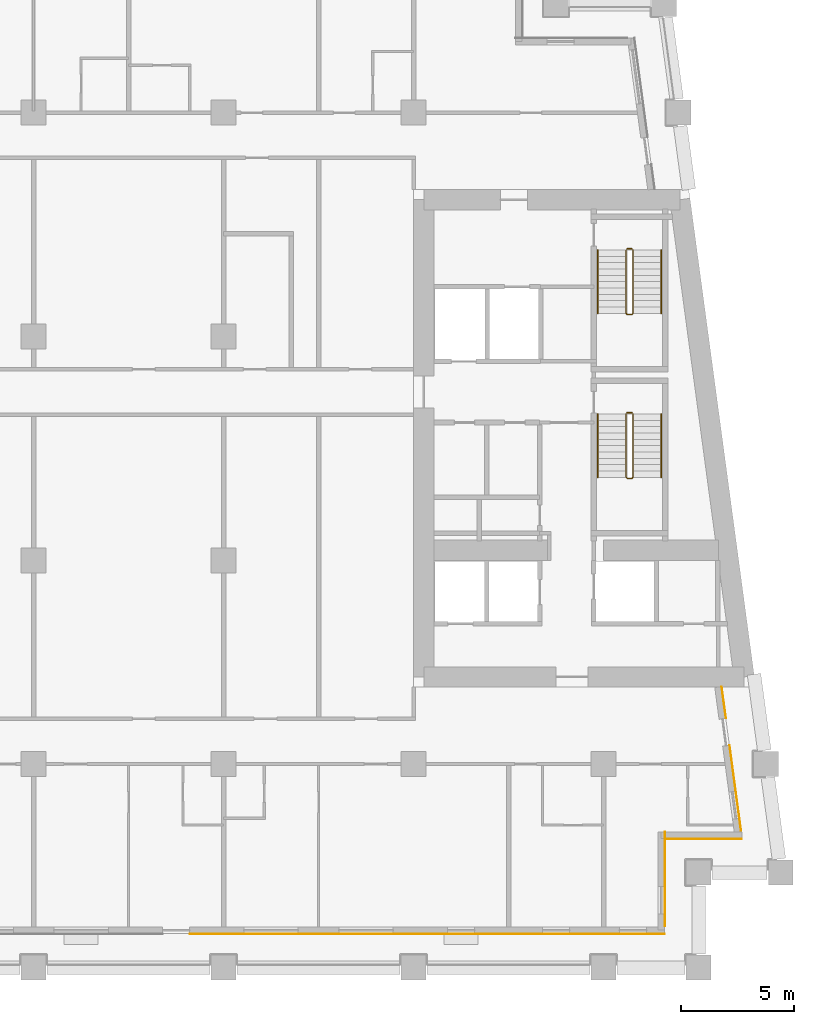
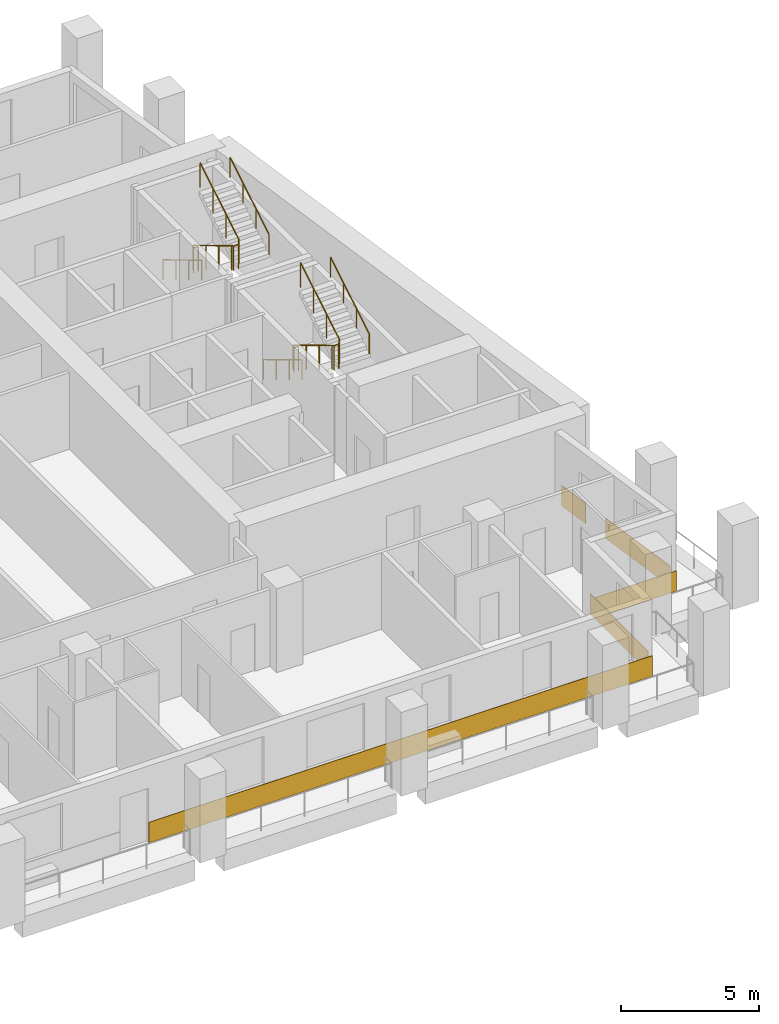
# One storey, part 10 of 12: 8 railings, 5 coverings.
"""IFC4 building model written with IfcOpenShell, lengths in metres."""

from ifc_helpers import new_model, si_unit, direction, frame, origin, origin_2d, place, context, subcontext, project, spatial, rectangle, circle, extrude, material, layer, layer_set, type_object, element, save


model = new_model("IFC4")

# Units and contexts
model_context = context("Model", 3, precision=1e-05, world=origin(), true_north=direction((0.0, 1.0)))
body_context = subcontext(model_context, "Body", "Model", "MODEL_VIEW")
ifc_project = project(units=[si_unit("LENGTHUNIT", "METRE"), si_unit("AREAUNIT", "SQUARE_METRE"), si_unit("VOLUMEUNIT", "CUBIC_METRE"), si_unit("PLANEANGLEUNIT", "RADIAN"), si_unit("MASSUNIT", "GRAM", prefix="KILO")], contexts=[model_context])

# Site, building, storey
site_placement = place(None, origin())
site = spatial("IfcSite", under=ifc_project, at=site_placement, CompositionType="ELEMENT")
building_placement = place(site_placement, origin())
building = spatial("IfcBuilding", under=site, at=building_placement, Name="Candeia Pilgrim Tower and Theatre", CompositionType="ELEMENT")
storey_placement = place(building_placement, frame((0.0, 0.0, 147.800048828125)))
storey = spatial("IfcBuildingStorey", under=building, at=storey_placement, Name="L34", CompositionType="ELEMENT", Elevation=147.800048828125)

# Coverings
ifc_material_1 = material(Name="Glazed ceramic tile rust")
ifc_layer = layer(ifc_material_1, 0.02001953125)
ifc_layer_set = layer_set([ifc_layer], Name="Glazed ceramic tile rust")
covering_type = type_object("IfcCoveringType", Name="Glazed ceramic tile rust", PredefinedType="CLADDING", material=ifc_layer_set)
covering_1_placement = place(storey_placement, frame((126.60009765625, 99.489990234375, 0.0), z_axis=(0.0, 0.0, 1.0), x_axis=(1.0, 0.0, 0.0)))
element("IfcCovering", 1, at=covering_1_placement, inside=storey, type_object=covering_type, Name="Tile cladding rust L34", PredefinedType="CLADDING", context=body_context, shape_type="SweptSolid", body=[
    extrude(rectangle(XDim=21.0, YDim=0.02001953125, at=origin_2d()), origin(), (0.0, 0.0, 1.0), 0.89990234375),
])
covering_2_placement = place(storey_placement, frame((137.110107421875, 101.909912109375, 0.0), z_axis=(0.0, 0.0, 1.0), x_axis=(0.0, 1.0, 0.0)))
element("IfcCovering", 2, at=covering_2_placement, inside=storey, type_object=covering_type, Name="Tile cladding rust L34", PredefinedType="CLADDING", context=body_context, shape_type="SweptSolid", body=[
    extrude(rectangle(XDim=4.179931640625, YDim=0.02001953125, at=origin_2d()), origin(), (0.0, 0.0, 1.0), 0.89990234375),
])
covering_3_placement = place(storey_placement, frame((138.819580078125, 103.68994140625, 0.0), z_axis=(0.0, 0.0, 1.0), x_axis=(1.0, 0.0, 0.0)))
element("IfcCovering", 3, at=covering_3_placement, inside=storey, type_object=covering_type, Name="Tile cladding rust L34", PredefinedType="CLADDING", context=body_context, shape_type="SweptSolid", body=[
    extrude(rectangle(XDim=3.399169921875, YDim=0.02001953125, at=origin_2d()), origin(), (0.0, 0.0, 1.0), 0.89990234375),
])
covering_4_placement = place(storey_placement, frame((140.228515625, 105.933349609375, 0.0), z_axis=(0.0, 0.0, 1.0), x_axis=(-0.133412012145, 0.991060661622, 0.0)))
element("IfcCovering", 4, at=covering_4_placement, inside=storey, type_object=covering_type, Name="Tile cladding rust L34", PredefinedType="CLADDING", context=body_context, shape_type="SweptSolid", body=[
    extrude(rectangle(XDim=3.821044921875, YDim=0.02001953125, at=origin_2d()), origin(), (0.0, 0.0, 1.0), 0.89990234375),
])
covering_5_placement = place(storey_placement, frame((139.718994140625, 109.71875, 0.0), z_axis=(0.0, 0.0, 1.0), x_axis=(-0.133412012145, 0.991060661622, 0.0)))
element("IfcCovering", 5, at=covering_5_placement, inside=storey, type_object=covering_type, Name="Tile cladding rust L34", PredefinedType="CLADDING", context=body_context, shape_type="SweptSolid", body=[
    extrude(rectangle(XDim=1.41796875, YDim=0.02001953125, at=origin_2d()), origin(), (0.0, 0.0, 1.0), 0.89990234375),
])

# Railings
ifc_material_2 = material(Name="Stainless steel balustrade", Category="steel")
railing_type_1 = type_object("IfcRailingType", Name="RL-GUARD-1100", PredefinedType="GUARDRAIL", material=ifc_material_2)
railing_1_placement = place(storey_placement, frame((135.39794921875, 122.47509765625, 0.168212890625)))
element("IfcRailing", 6, at=railing_1_placement, inside=storey, type_object=railing_type_1, Name="L34 ST3 stair guard 1", PredefinedType="GUARDRAIL", context=body_context, shape_type="SweptSolid", body=[
    extrude(circle(Radius=0.02392578125, at=origin_2d()), frame((0.0, 0.0, 1.076171875), z_axis=(0.0, -0.857275202839, 0.514858452973), x_axis=(1.0, 0.0, 0.0)), (0.0, 0.0, 1.0), 3.26611328125),
    extrude(circle(Radius=0.02392578125, at=origin_2d()), frame((0.0, -2.800048828125, 2.7578125), z_axis=(0.707106781187, -0.707106781187, 0.0), x_axis=(0.707106781187, 0.707106781187, 0.0)), (0.0, 0.0, 1.0), 0.07080078125),
    extrude(circle(Radius=0.02392578125, at=origin_2d()), frame((0.050048828125, -2.85009765625, 2.7578125), z_axis=(1.0, 0.0, 0.0), x_axis=(0.0, 1.0, 0.0)), (0.0, 0.0, 1.0), 0.199951171875),
    extrude(circle(Radius=0.02392578125, at=origin_2d()), frame((0.25, -2.85009765625, 2.7578125), z_axis=(0.274243871929, 0.274243871929, 0.92172696468), x_axis=(-0.707106781187, 0.707106781187, 0.0)), (0.0, 0.0, 1.0), 0.1826171875),
    extrude(circle(Radius=0.02392578125, at=origin_2d()), frame((0.300048828125, -2.800048828125, 2.92578125), z_axis=(0.0, 0.857242210791, 0.514913383045), x_axis=(-1.0, 0.0, 0.0)), (0.0, 0.0, 1.0), 3.266357421875),
    extrude(circle(Radius=0.02099609375, at=origin_2d()), origin(), (0.0, 0.0, 1.0), 1.052001953125),
    extrude(circle(Radius=0.02099609375, at=origin_2d()), frame((0.0, -0.933349609375, 0.560546875)), (0.0, 0.0, 1.0), 1.052001953125),
    extrude(circle(Radius=0.02099609375, at=origin_2d()), frame((0.0, -1.86669921875, 1.12109375)), (0.0, 0.0, 1.0), 1.052001953125),
    extrude(circle(Radius=0.02099609375, at=origin_2d()), frame((0.0, -2.800048828125, 1.681640625)), (0.0, 0.0, 1.0), 1.052001953125),
    extrude(circle(Radius=0.02099609375, at=origin_2d()), frame((0.050048828125, -2.85009765625, 1.681640625)), (0.0, 0.0, 1.0), 1.052001953125),
    extrude(circle(Radius=0.02099609375, at=origin_2d()), frame((0.25, -2.85009765625, 1.681640625)), (0.0, 0.0, 1.0), 1.052001953125),
    extrude(circle(Radius=0.02099609375, at=origin_2d()), frame((0.300048828125, -2.800048828125, 1.849853515625)), (0.0, 0.0, 1.0), 1.052001953125),
    extrude(circle(Radius=0.02099609375, at=origin_2d()), frame((0.300048828125, -1.86669921875, 2.410400390625)), (0.0, 0.0, 1.0), 1.052001953125),
    extrude(circle(Radius=0.02099609375, at=origin_2d()), frame((0.300048828125, -0.933349609375, 2.97119140625)), (0.0, 0.0, 1.0), 1.052001953125),
    extrude(circle(Radius=0.02099609375, at=origin_2d()), frame((0.300048828125, 0.0, 3.53173828125)), (0.0, 0.0, 1.0), 1.052001953125),
])
railing_2_placement = place(storey_placement, frame((135.447998046875, 122.52490234375, 0.0)))
element("IfcRailing", 7, at=railing_2_placement, inside=storey, type_object=railing_type_1, Name="L34 ST3 stair guard 2", PredefinedType="GUARDRAIL", context=body_context, shape_type="SweptSolid", body=[
    extrude(circle(Radius=0.02392578125, at=origin_2d()), frame((0.0, 0.0, 1.076171875), z_axis=(1.0, 0.0, 0.0), x_axis=(0.0, 1.0, 0.0)), (0.0, 0.0, 1.0), 0.199951171875),
    extrude(circle(Radius=0.02099609375, at=origin_2d()), origin(), (0.0, 0.0, 1.0), 1.052001953125),
    extrude(circle(Radius=0.02099609375, at=origin_2d()), frame((0.199951171875, 0.0, 0.0)), (0.0, 0.0, 1.0), 1.052001953125),
])
railing_3_placement = place(storey_placement, frame((135.39794921875, 129.72509765625, 0.168212890625)))
element("IfcRailing", 8, at=railing_3_placement, inside=storey, type_object=railing_type_1, Name="L34 ST4 stair guard 1", PredefinedType="GUARDRAIL", context=body_context, shape_type="SweptSolid", body=[
    extrude(circle(Radius=0.02392578125, at=origin_2d()), frame((0.0, 0.0, 1.076171875), z_axis=(0.0, -0.857275202839, 0.514858452973), x_axis=(1.0, 0.0, 0.0)), (0.0, 0.0, 1.0), 3.26611328125),
    extrude(circle(Radius=0.02392578125, at=origin_2d()), frame((0.0, -2.800048828125, 2.7578125), z_axis=(0.707106781187, -0.707106781187, 0.0), x_axis=(0.707106781187, 0.707106781187, 0.0)), (0.0, 0.0, 1.0), 0.07080078125),
    extrude(circle(Radius=0.02392578125, at=origin_2d()), frame((0.050048828125, -2.85009765625, 2.7578125), z_axis=(1.0, 0.0, 0.0), x_axis=(0.0, 1.0, 0.0)), (0.0, 0.0, 1.0), 0.199951171875),
    extrude(circle(Radius=0.02392578125, at=origin_2d()), frame((0.25, -2.85009765625, 2.7578125), z_axis=(0.274243871929, 0.274243871929, 0.92172696468), x_axis=(-0.707106781187, 0.707106781187, 0.0)), (0.0, 0.0, 1.0), 0.1826171875),
    extrude(circle(Radius=0.02392578125, at=origin_2d()), frame((0.300048828125, -2.800048828125, 2.92578125), z_axis=(0.0, 0.857242210791, 0.514913383045), x_axis=(-1.0, 0.0, 0.0)), (0.0, 0.0, 1.0), 3.266357421875),
    extrude(circle(Radius=0.02099609375, at=origin_2d()), origin(), (0.0, 0.0, 1.0), 1.052001953125),
    extrude(circle(Radius=0.02099609375, at=origin_2d()), frame((0.0, -0.933349609375, 0.560546875)), (0.0, 0.0, 1.0), 1.052001953125),
    extrude(circle(Radius=0.02099609375, at=origin_2d()), frame((0.0, -1.86669921875, 1.12109375)), (0.0, 0.0, 1.0), 1.052001953125),
    extrude(circle(Radius=0.02099609375, at=origin_2d()), frame((0.0, -2.800048828125, 1.681640625)), (0.0, 0.0, 1.0), 1.052001953125),
    extrude(circle(Radius=0.02099609375, at=origin_2d()), frame((0.050048828125, -2.85009765625, 1.681640625)), (0.0, 0.0, 1.0), 1.052001953125),
    extrude(circle(Radius=0.02099609375, at=origin_2d()), frame((0.25, -2.85009765625, 1.681640625)), (0.0, 0.0, 1.0), 1.052001953125),
    extrude(circle(Radius=0.02099609375, at=origin_2d()), frame((0.300048828125, -2.800048828125, 1.849853515625)), (0.0, 0.0, 1.0), 1.052001953125),
    extrude(circle(Radius=0.02099609375, at=origin_2d()), frame((0.300048828125, -1.86669921875, 2.410400390625)), (0.0, 0.0, 1.0), 1.052001953125),
    extrude(circle(Radius=0.02099609375, at=origin_2d()), frame((0.300048828125, -0.933349609375, 2.97119140625)), (0.0, 0.0, 1.0), 1.052001953125),
    extrude(circle(Radius=0.02099609375, at=origin_2d()), frame((0.300048828125, 0.0, 3.53173828125)), (0.0, 0.0, 1.0), 1.052001953125),
])
railing_4_placement = place(storey_placement, frame((135.447998046875, 129.77490234375, 0.0)))
element("IfcRailing", 9, at=railing_4_placement, inside=storey, type_object=railing_type_1, Name="L34 ST4 stair guard 2", PredefinedType="GUARDRAIL", context=body_context, shape_type="SweptSolid", body=[
    extrude(circle(Radius=0.02392578125, at=origin_2d()), frame((0.0, 0.0, 1.076171875), z_axis=(1.0, 0.0, 0.0), x_axis=(0.0, 1.0, 0.0)), (0.0, 0.0, 1.0), 0.199951171875),
    extrude(circle(Radius=0.02099609375, at=origin_2d()), origin(), (0.0, 0.0, 1.0), 1.052001953125),
    extrude(circle(Radius=0.02099609375, at=origin_2d()), frame((0.199951171875, 0.0, 0.0)), (0.0, 0.0, 1.0), 1.052001953125),
])
ifc_material_3 = material(Name="Stainless steel handrail", Category="steel")
railing_type_2 = type_object("IfcRailingType", Name="RL-HANDRAIL-900", PredefinedType="HANDRAIL", material=ifc_material_3)
railing_5_placement = place(storey_placement, frame((134.14794921875, 122.47509765625, 0.168212890625)))
element("IfcRailing", 10, at=railing_5_placement, inside=storey, type_object=railing_type_2, Name="L34 ST3 stair handrail 1", PredefinedType="HANDRAIL", context=body_context, shape_type="SweptSolid", body=[
    extrude(circle(Radius=0.02392578125, at=origin_2d()), frame((0.0, 0.0, 0.8759765625), z_axis=(0.0, -0.857275202839, 0.514858452973), x_axis=(1.0, 0.0, 0.0)), (0.0, 0.0, 1.0), 3.26611328125),
    extrude(circle(Radius=0.02099609375, at=origin_2d()), origin(), (0.0, 0.0, 1.0), 0.851806640625),
    extrude(circle(Radius=0.02099609375, at=origin_2d()), frame((0.0, -0.933349609375, 0.560546875)), (0.0, 0.0, 1.0), 0.851806640625),
    extrude(circle(Radius=0.02099609375, at=origin_2d()), frame((0.0, -1.86669921875, 1.12109375)), (0.0, 0.0, 1.0), 0.851806640625),
    extrude(circle(Radius=0.02099609375, at=origin_2d()), frame((0.0, -2.800048828125, 1.681640625)), (0.0, 0.0, 1.0), 0.851806640625),
])
railing_6_placement = place(storey_placement, frame((136.947998046875, 119.675048828125, 2.01806640625)))
element("IfcRailing", 11, at=railing_6_placement, inside=storey, type_object=railing_type_2, Name="L34 ST3 stair handrail 2", PredefinedType="HANDRAIL", context=body_context, shape_type="SweptSolid", body=[
    extrude(circle(Radius=0.02392578125, at=origin_2d()), frame((0.0, 0.0, 0.8759765625), z_axis=(0.0, 0.857242210791, 0.514913383045), x_axis=(-1.0, 0.0, 0.0)), (0.0, 0.0, 1.0), 3.266357421875),
    extrude(circle(Radius=0.02099609375, at=origin_2d()), origin(), (0.0, 0.0, 1.0), 0.851806640625),
    extrude(circle(Radius=0.02099609375, at=origin_2d()), frame((0.0, 0.933349609375, 0.560546875)), (0.0, 0.0, 1.0), 0.851806640625),
    extrude(circle(Radius=0.02099609375, at=origin_2d()), frame((0.0, 1.86669921875, 1.121337890625)), (0.0, 0.0, 1.0), 0.851806640625),
    extrude(circle(Radius=0.02099609375, at=origin_2d()), frame((0.0, 2.800048828125, 1.681884765625)), (0.0, 0.0, 1.0), 0.851806640625),
])
railing_7_placement = place(storey_placement, frame((134.14794921875, 129.72509765625, 0.168212890625)))
element("IfcRailing", 12, at=railing_7_placement, inside=storey, type_object=railing_type_2, Name="L34 ST4 stair handrail 1", PredefinedType="HANDRAIL", context=body_context, shape_type="SweptSolid", body=[
    extrude(circle(Radius=0.02392578125, at=origin_2d()), frame((0.0, 0.0, 0.8759765625), z_axis=(0.0, -0.857275202839, 0.514858452973), x_axis=(1.0, 0.0, 0.0)), (0.0, 0.0, 1.0), 3.26611328125),
    extrude(circle(Radius=0.02099609375, at=origin_2d()), origin(), (0.0, 0.0, 1.0), 0.851806640625),
    extrude(circle(Radius=0.02099609375, at=origin_2d()), frame((0.0, -0.933349609375, 0.560546875)), (0.0, 0.0, 1.0), 0.851806640625),
    extrude(circle(Radius=0.02099609375, at=origin_2d()), frame((0.0, -1.86669921875, 1.12109375)), (0.0, 0.0, 1.0), 0.851806640625),
    extrude(circle(Radius=0.02099609375, at=origin_2d()), frame((0.0, -2.800048828125, 1.681640625)), (0.0, 0.0, 1.0), 0.851806640625),
])
railing_8_placement = place(storey_placement, frame((136.947998046875, 126.925048828125, 2.01806640625)))
element("IfcRailing", 13, at=railing_8_placement, inside=storey, type_object=railing_type_2, Name="L34 ST4 stair handrail 2", PredefinedType="HANDRAIL", context=body_context, shape_type="SweptSolid", body=[
    extrude(circle(Radius=0.02392578125, at=origin_2d()), frame((0.0, 0.0, 0.8759765625), z_axis=(0.0, 0.857242210791, 0.514913383045), x_axis=(-1.0, 0.0, 0.0)), (0.0, 0.0, 1.0), 3.266357421875),
    extrude(circle(Radius=0.02099609375, at=origin_2d()), origin(), (0.0, 0.0, 1.0), 0.851806640625),
    extrude(circle(Radius=0.02099609375, at=origin_2d()), frame((0.0, 0.933349609375, 0.560546875)), (0.0, 0.0, 1.0), 0.851806640625),
    extrude(circle(Radius=0.02099609375, at=origin_2d()), frame((0.0, 1.86669921875, 1.121337890625)), (0.0, 0.0, 1.0), 0.851806640625),
    extrude(circle(Radius=0.02099609375, at=origin_2d()), frame((0.0, 2.800048828125, 1.681884765625)), (0.0, 0.0, 1.0), 0.851806640625),
])

save(model, "model.ifc")
